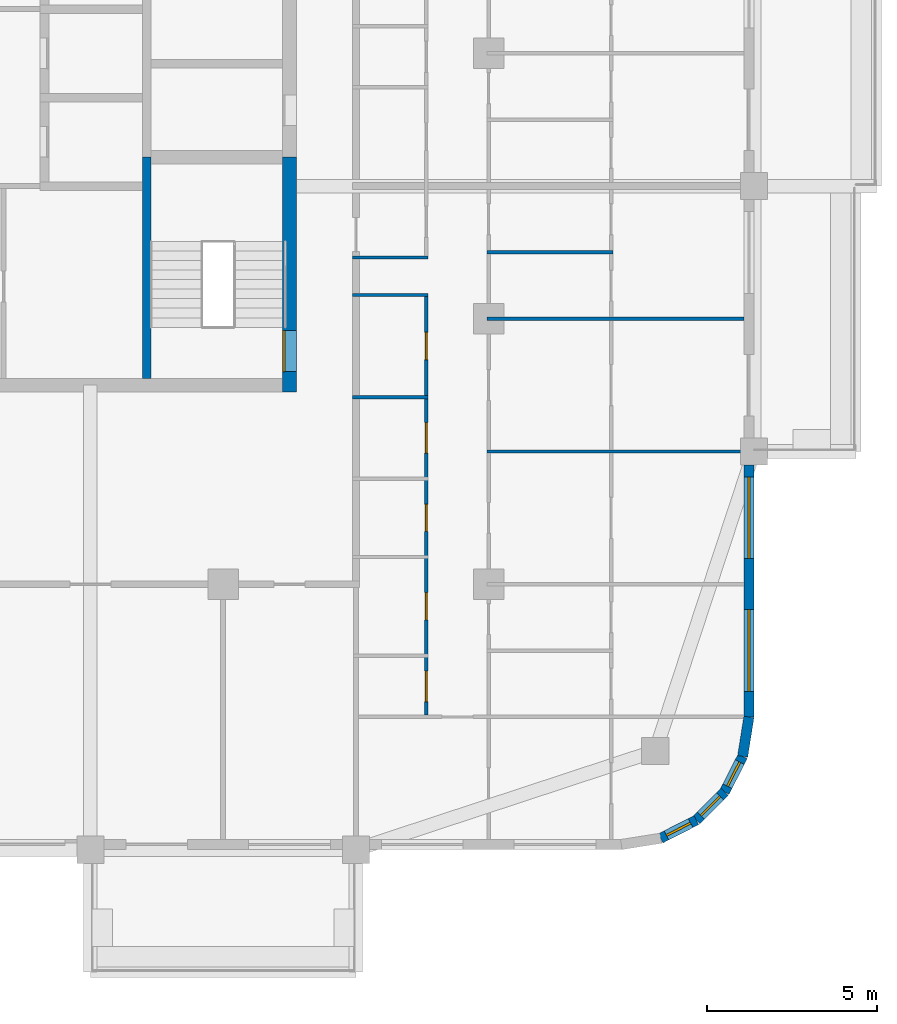
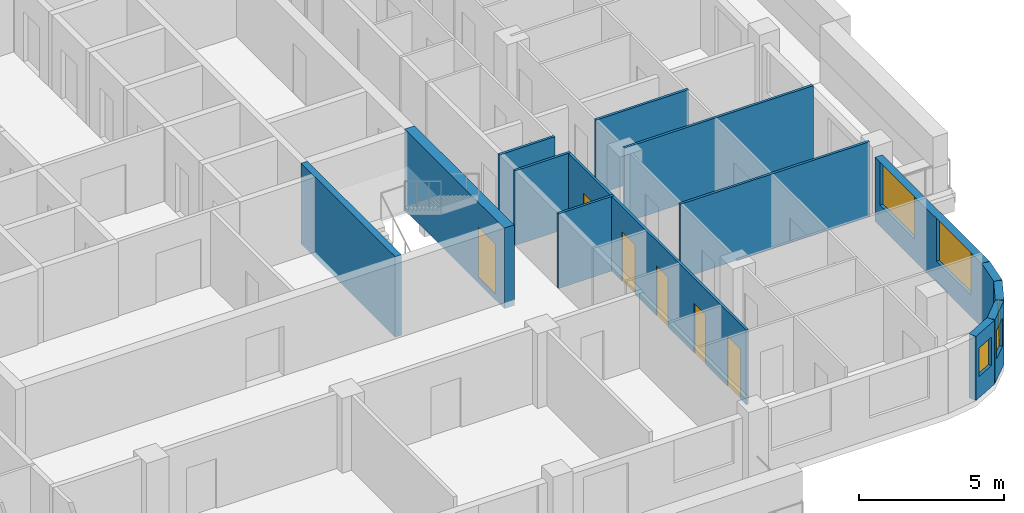
# One storey, part 6 of 16: 14 walls, 6 doors, 5 windows, 11 openings.
"""IFC4 building model written with IfcOpenShell, lengths in metres."""

import ifcopenshell
import ifcopenshell.guid

model = None  # the IFC model being written
_history = None  # IfcOwnerHistory: only IFC2X3 demands one
_inside = {}  # id of a spatial element -> (the spatial element, [elements in it])
_under = {}  # id of a project, library or spatial element -> (it, [spatial elements below it])
_declared = {}  # id of a project -> (the project, [libraries it declares])
_typed = {}  # id of a type object -> (the type object, [elements of that type])
_made_of = {}  # id of a material, layer set ... -> (it, [elements and type objects made of it])


def new_model(schema):
    """Start an empty IFC model of exactly this schema.

    Asked for "IFC4X3", IfcOpenShell would pick the latest addendum, in which some entities
    have other attributes; the version numbers below select the first issue.
    IFC2X3 requires an IfcOwnerHistory on every rooted entity: one is made here for all.
    """
    global model, _history
    if schema == "IFC4X3":
        model = ifcopenshell.file(schema_version=(4, 3, 0, 0))
    else:
        model = ifcopenshell.file(schema=schema)
    _inside.clear()
    _under.clear()
    _declared.clear()
    _typed.clear()
    _made_of.clear()
    _history = None
    if model.schema == "IFC2X3":
        org = make("IfcOrganization", Name="unknown")
        user = make(
            "IfcPersonAndOrganization",
            ThePerson=make("IfcPerson", FamilyName="unknown"),
            TheOrganization=org,
        )
        app = make(
            "IfcApplication",
            ApplicationDeveloper=org,
            Version="unknown",
            ApplicationFullName="unknown",
            ApplicationIdentifier="unknown",
        )
        _history = make(
            "IfcOwnerHistory",
            OwningUser=user,
            OwningApplication=app,
            ChangeAction="ADDED",
            CreationDate=0,
        )
    return model


def make(cls, **values):
    """One entity of the class cls with the attributes given. An attribute that is None is left unset."""
    return model.create_entity(
        cls, **{name: value for name, value in values.items() if value is not None}
    )


def rooted(cls, **values):
    """An entity with a GlobalId (a new one), such as an element, a storey or a relation."""
    return make(cls, GlobalId=ifcopenshell.guid.new(), OwnerHistory=_history, **values)


def si_unit(unit_type, name, prefix=None):
    """IfcSIUnit, for example si_unit("LENGTHUNIT", "METRE", prefix="MILLI")."""
    return make("IfcSIUnit", UnitType=unit_type, Prefix=prefix, Name=name)


def assignment(units):
    """IfcUnitAssignment: the units of a project."""
    return None if units is None else make("IfcUnitAssignment", Units=units)


def point(xyz):
    """IfcCartesianPoint."""
    return None if xyz is None else make("IfcCartesianPoint", Coordinates=xyz)


def direction(xyz):
    """IfcDirection."""
    return None if xyz is None else make("IfcDirection", DirectionRatios=xyz)


def frame(location, z_axis=None, x_axis=None):
    """IfcAxis2Placement3D, a coordinate frame: its origin and axes. An axis left out is left unset."""
    return make(
        "IfcAxis2Placement3D",
        Location=point(location),
        Axis=direction(z_axis),
        RefDirection=direction(x_axis),
    )


def frame_2d(location, x_axis=None):
    """IfcAxis2Placement2D, a coordinate frame in the plane: its origin and x axis."""
    return make(
        "IfcAxis2Placement2D", Location=point(location), RefDirection=direction(x_axis)
    )


def origin():
    """The frame at (0, 0, 0) with its axes left unset."""
    return frame((0.0, 0.0, 0.0))


def place(relative_to, where):
    """IfcLocalPlacement: puts the frame where relative to a parent placement (None: the world)."""
    return make(
        "IfcLocalPlacement", PlacementRelTo=relative_to, RelativePlacement=where
    )


def context(
    kind, dimensions, precision=None, world=None, true_north=None, identifier=None
):
    """IfcGeometricRepresentationContext, for example the 3D "Model" context."""
    return make(
        "IfcGeometricRepresentationContext",
        ContextIdentifier=identifier,
        ContextType=kind,
        CoordinateSpaceDimension=dimensions,
        Precision=precision,
        WorldCoordinateSystem=world,
        TrueNorth=true_north,
    )


def subcontext(parent, identifier, kind, view, scale=None):
    """IfcGeometricRepresentationSubContext, for example "Body" below "Model"."""
    return make(
        "IfcGeometricRepresentationSubContext",
        ContextIdentifier=identifier,
        ContextType=kind,
        ParentContext=parent,
        TargetScale=scale,
        TargetView=view,
    )


def project(units=None, contexts=None):
    """IfcProject with its units and contexts."""
    return rooted(
        "IfcProject",
        Name="project",
        RepresentationContexts=contexts,
        UnitsInContext=assignment(units),
    )


def spatial(cls, under=None, at=None, **own):
    """A site, building, storey or space (cls), placed at a placement, below another one or the project."""
    s = rooted(cls, ObjectPlacement=at, **own)
    if under is not None:
        _under.setdefault(under.id(), (under, []))[1].append(s)
    return s


def profile(cls, at=None, kind="AREA", **sizes):
    """A parametric profile (cls). Its sizes go by their IFC names, for example OverallWidth=200.0."""
    return make(cls, ProfileType=kind, Position=at, **sizes)


def rectangle(**sizes):
    """IfcRectangleProfileDef."""
    return profile("IfcRectangleProfileDef", **sizes)


def extrude(swept, where, along, depth):
    """IfcExtrudedAreaSolid: the profile swept, set in the frame where, extruded along a direction by depth."""
    return make(
        "IfcExtrudedAreaSolid",
        SweptArea=swept,
        Position=where,
        ExtrudedDirection=direction(along),
        Depth=depth,
    )


def shape(context_of_items, identifier, shape_type, items):
    """IfcShapeRepresentation: the items that make up one representation, for example the "Body"."""
    return make(
        "IfcShapeRepresentation",
        ContextOfItems=context_of_items,
        RepresentationIdentifier=identifier,
        RepresentationType=shape_type,
        Items=items,
    )


def material(Name=None, Category=None):
    """IfcMaterial."""
    return make("IfcMaterial", Name=Name, Category=Category)


def layer(
    of_material, thickness, ventilated=None, Name=None, Category=None, Priority=None
):
    """IfcMaterialLayer: one layer of a wall or slab, of a material (None: an air gap)."""
    return make(
        "IfcMaterialLayer",
        Material=of_material,
        LayerThickness=thickness,
        IsVentilated=ventilated,
        Name=Name,
        Category=Category,
        Priority=Priority,
    )


def layer_set(layers, Name=None):
    """IfcMaterialLayerSet."""
    return make("IfcMaterialLayerSet", MaterialLayers=layers, LayerSetName=Name)


def made_of(thing, what):
    """Note that an element or type object is made of a material, layer set ...; save() writes the relation."""
    if what is not None:
        _made_of.setdefault(what.id(), (what, []))[1].append(thing)
    return thing


def type_object(cls, material=None, **own):
    """A type object (cls), such as IfcWallType, which elements share."""
    return made_of(rooted(cls, **own), material)


def element(
    cls,
    number,
    at=None,
    inside=None,
    cuts=None,
    type_object=None,
    material=None,
    context=None,
    identifier="Body",
    shape_type=None,
    held_by="IfcProductDefinitionShape",
    body=None,
    shapes=None,
    **own,
):
    """One element of the class cls, such as IfcWall. Its Tag is "e" and its number.

    at: its placement. inside: the storey or other place that contains it. cuts: it is an
    opening in that element (IfcRelVoidsElement). A single representation is given by context,
    identifier, shape_type and body (its items); several are given by shapes. held_by: the class
    of the entity that holds the representations. save() writes the other relations.
    """
    e = rooted(cls, Tag="e%d" % number, ObjectPlacement=at, **own)
    if body is not None:
        shapes = [shape(context, identifier, shape_type, body)]
    if shapes is not None:
        e.Representation = make(held_by, Representations=shapes)
    if inside is not None:
        _inside.setdefault(inside.id(), (inside, []))[1].append(e)
    if cuts is not None:
        rooted(
            "IfcRelVoidsElement", RelatingBuildingElement=cuts, RelatedOpeningElement=e
        )
    if type_object is not None:
        _typed.setdefault(type_object.id(), (type_object, []))[1].append(e)
    return made_of(e, material)


def fill(opening, filler):
    """IfcRelFillsElement: the door or window that sits in an opening."""
    return rooted(
        "IfcRelFillsElement",
        RelatingOpeningElement=opening,
        RelatedBuildingElement=filler,
    )


def aggregate(whole, parts):
    """IfcRelAggregates: a whole, such as a stair, and the parts it consists of."""
    return rooted("IfcRelAggregates", RelatingObject=whole, RelatedObjects=parts)


def save(model, path):
    """Write the relations noted so far, then the file.

    IfcRelAggregates (storeys below a building ...), IfcRelContainedInSpatialStructure (elements
    in a storey), IfcRelDefinesByType, IfcRelAssociatesMaterial and IfcRelDeclares: one each for
    every whole, place, type object, material and project.
    """
    for whole, parts in _under.values():
        aggregate(whole, parts)
    for where, things in _inside.values():
        rooted(
            "IfcRelContainedInSpatialStructure",
            RelatedElements=things,
            RelatingStructure=where,
        )
    for kind, things in _typed.values():
        rooted("IfcRelDefinesByType", RelatedObjects=things, RelatingType=kind)
    for what, things in _made_of.values():
        rooted("IfcRelAssociatesMaterial", RelatedObjects=things, RelatingMaterial=what)
    for by, libraries in _declared.values():
        rooted("IfcRelDeclares", RelatingContext=by, RelatedDefinitions=libraries)
    model.write(path)


model = new_model("IFC4")

# Units and contexts
model_context = context("Model", 3, precision=1e-05, world=origin(), true_north=direction((0.0, 1.0)))
body_context = subcontext(model_context, "Body", "Model", "MODEL_VIEW")
ifc_project = project(units=[si_unit("LENGTHUNIT", "METRE"), si_unit("AREAUNIT", "SQUARE_METRE"), si_unit("VOLUMEUNIT", "CUBIC_METRE"), si_unit("PLANEANGLEUNIT", "RADIAN"), si_unit("MASSUNIT", "GRAM", prefix="KILO")], contexts=[model_context])

# Site, building, storey
site_placement = place(None, origin())
site = spatial("IfcSite", under=ifc_project, at=site_placement, CompositionType="ELEMENT")
building_placement = place(site_placement, origin())
building = spatial("IfcBuilding", under=site, at=building_placement, Name="Ludao Terraces", CompositionType="ELEMENT")
storey_placement = place(building_placement, frame((0.0, 0.0, 227.89990234375)))
storey = spatial("IfcBuildingStorey", under=building, at=storey_placement, Name="L62", CompositionType="ELEMENT", Elevation=227.89990234375)

# Wall, opening, door
ifc_material_1 = material(Name="Concrete C50", Category="concrete")
ifc_layer_1 = layer(ifc_material_1, 0.39990234375)
ifc_layer_set_1 = layer_set([ifc_layer_1], Name="Core wall 400 C50")
wall_type_1 = type_object("IfcWallType", Name="Core wall 400 C50", PredefinedType="SOLIDWALL", material=ifc_layer_set_1)
wall_1_placement = place(storey_placement, frame((94.75, 55.050048828125, -0.25), z_axis=(0.0, 0.0, 1.0), x_axis=(0.0, 1.0, 0.0)))
wall_1 = element("IfcWall", 1, at=wall_1_placement, inside=storey, type_object=wall_type_1, Name="Core wall L62 outer-E-S3", PredefinedType="SOLIDWALL", context=body_context, shape_type="SweptSolid", body=[
    extrude(rectangle(XDim=6.89990234375, YDim=0.39990234375, at=frame_2d((3.449951171875, 0.0))), origin(), (0.0, 0.0, 1.0), 3.400146484375),
])
opening_1_placement = place(wall_1_placement, frame((0.60009765625, 0.0, 0.25)))
opening_1 = element("IfcOpeningElement", 2, at=opening_1_placement, cuts=wall_1, Name="Opening R22-033", PredefinedType="OPENING", context=body_context, shape_type="SweptSolid", body=[
    extrude(rectangle(XDim=1.199951171875, YDim=2.10009765625, at=frame_2d((0.60009765625, 1.050048828125))), frame((0.0, 0.2099609375, 0.0), z_axis=(0.0, -1.0, 0.0), x_axis=(1.0, 0.0, 0.0)), (0.0, 0.0, 1.0), 0.419921875),
])
ifc_material_2 = material(Name="Steel Q235", Category="steel")
door_type_1 = type_object("IfcDoorType", Name="INT Stair door 1200", OperationType="DOUBLE_DOOR_SINGLE_SWING", PredefinedType="DOOR", material=ifc_material_2)
door_1_placement = place(opening_1_placement, origin())
door_1 = element("IfcDoor", 3, at=door_1_placement, inside=storey, type_object=door_type_1, Name="DOOR 033", OperationType="DOUBLE_DOOR_SINGLE_SWING", OverallHeight=2.10009765625, OverallWidth=1.199951171875, PredefinedType="DOOR", context=body_context, shape_type="SweptSolid", body=[
    extrude(rectangle(XDim=1.199951171875, YDim=2.10009765625, at=frame_2d((0.60009765625, 1.050048828125))), frame((0.0, 0.18505859375, 0.0), z_axis=(0.0, -1.0, 0.0), x_axis=(1.0, 0.0, 0.0)), (0.0, 0.0, 1.0), 0.050048828125),
])
fill(opening_1, door_1)

# Wall, openings, windows
ifc_material_3 = material(Name="Granite cladding", Category="masonry")
ifc_layer_2 = layer(ifc_material_3, 0.0400390625, Category="stone")
ifc_material_4 = material(Name="Mineral wool")
ifc_layer_3 = layer(ifc_material_4, 0.06005859375)
ifc_material_5 = material(Name="Concrete C40", Category="concrete")
ifc_layer_4 = layer(ifc_material_5, 0.199951171875, Category="concrete")
ifc_layer_set_2 = layer_set([ifc_layer_2, ifc_layer_3, ifc_layer_4], Name="ENV Stone-clad wall 300")
wall_type_2 = type_object("IfcWallType", Name="ENV Stone-clad wall 300", PredefinedType="SOLIDWALL", material=ifc_layer_set_2)
wall_2_placement = place(storey_placement, frame((108.25, 45.5, 0.0), z_axis=(0.0, 0.0, 1.0), x_axis=(0.0, 1.0, 0.0)))
wall_2 = element("IfcWall", 4, at=wall_2_placement, inside=storey, type_object=wall_type_2, Name="EW-L62-E1", PredefinedType="SOLIDWALL", context=body_context, shape_type="SweptSolid", body=[
    extrude(rectangle(XDim=7.39990234375, YDim=0.300048828125, at=frame_2d((3.699951171875, 0.0))), origin(), (0.0, 0.0, 1.0), 2.7001953125),
])
opening_2_placement = place(wall_2_placement, frame((0.75, 0.0, 0.89990234375)))
opening_2 = element("IfcOpeningElement", 5, at=opening_2_placement, cuts=wall_2, Name="Opening W1", PredefinedType="OPENING", context=body_context, shape_type="SweptSolid", body=[
    extrude(rectangle(XDim=2.39990234375, YDim=1.800048828125, at=frame_2d((1.199951171875, 0.89990234375))), frame((0.0, 0.16015625, 0.0), z_axis=(0.0, -1.0, 0.0), x_axis=(1.0, 0.0, 0.0)), (0.0, 0.0, 1.0), 0.320068359375),
])
opening_3_placement = place(wall_2_placement, frame((4.64990234375, 0.0, 0.89990234375)))
opening_3 = element("IfcOpeningElement", 6, at=opening_3_placement, cuts=wall_2, Name="Opening W1", PredefinedType="OPENING", context=body_context, shape_type="SweptSolid", body=[
    extrude(rectangle(XDim=2.39990234375, YDim=1.800048828125, at=frame_2d((1.199951171875, 0.89990234375))), frame((0.0, 0.16015625, 0.0), z_axis=(0.0, -1.0, 0.0), x_axis=(1.0, 0.0, 0.0)), (0.0, 0.0, 1.0), 0.320068359375),
])
ifc_material_6 = material(Name="Clear glass in aluminium frame", Category="aluminium")
ifc_layer_5 = layer(ifc_material_6, 0.06005859375)
ifc_layer_set_3 = layer_set([ifc_layer_5], Name="ENV Window W1 2400x1800")
window_type_1 = type_object("IfcWindowType", Name="ENV Window W1 2400x1800", PartitioningType="DOUBLE_PANEL_VERTICAL", PredefinedType="WINDOW", material=ifc_layer_set_3)
window_1_placement = place(opening_2_placement, origin())
window_1 = element("IfcWindow", 7, at=window_1_placement, inside=storey, type_object=window_type_1, Name="W-L62-E1-1", OverallHeight=1.800048828125, OverallWidth=2.39990234375, PartitioningType="DOUBLE_PANEL_VERTICAL", PredefinedType="WINDOW", context=body_context, shape_type="SweptSolid", body=[
    extrude(rectangle(XDim=2.39990234375, YDim=1.800048828125, at=frame_2d((1.199951171875, 0.89990234375))), frame((0.0, 0.030029296875, 0.0), z_axis=(0.0, -1.0, 0.0), x_axis=(1.0, 0.0, 0.0)), (0.0, 0.0, 1.0), 0.06005859375),
])
fill(opening_2, window_1)
window_2_placement = place(opening_3_placement, origin())
window_2 = element("IfcWindow", 8, at=window_2_placement, inside=storey, type_object=window_type_1, Name="W-L62-E1-2", OverallHeight=1.800048828125, OverallWidth=2.39990234375, PartitioningType="DOUBLE_PANEL_VERTICAL", PredefinedType="WINDOW", context=body_context, shape_type="SweptSolid", body=[
    extrude(rectangle(XDim=2.39990234375, YDim=1.800048828125, at=frame_2d((1.199951171875, 0.89990234375))), frame((0.0, 0.030029296875, 0.0), z_axis=(0.0, -1.0, 0.0), x_axis=(1.0, 0.0, 0.0)), (0.0, 0.0, 1.0), 0.06005859375),
])
fill(opening_3, window_2)

# Wall, opening, window
wall_3_placement = place(storey_placement, frame((105.65869140625, 41.93359375, 0.0), z_axis=(0.0, 0.0, 1.0), x_axis=(0.890988677504, 0.454025524128, 0.0)))
wall_3 = element("IfcWall", 9, at=wall_3_placement, inside=storey, type_object=wall_type_2, Name="EW-L62-SE2", PredefinedType="SOLIDWALL", context=body_context, shape_type="SweptSolid", body=[
    extrude(rectangle(XDim=1.17333984375, YDim=0.300048828125, at=frame_2d((0.586669921875, 0.0))), origin(), (0.0, 0.0, 1.0), 2.7001953125),
])
opening_4_placement = place(wall_3_placement, frame((0.1865234375, 0.0, 0.89990234375)))
opening_4 = element("IfcOpeningElement", 10, at=opening_4_placement, cuts=wall_3, Name="Opening W3", PredefinedType="OPENING", context=body_context, shape_type="SweptSolid", body=[
    extrude(rectangle(XDim=0.800048828125, YDim=1.199951171875, at=frame_2d((0.39990234375, 0.60009765625))), frame((0.0, 0.16015625, 0.0), z_axis=(0.0, -1.0, 0.0), x_axis=(1.0, 0.0, 0.0)), (0.0, 0.0, 1.0), 0.320068359375),
])
ifc_layer_6 = layer(ifc_material_6, 0.06005859375)
ifc_layer_set_4 = layer_set([ifc_layer_6], Name="ENV Window W3 800x1200")
window_type_2 = type_object("IfcWindowType", Name="ENV Window W3 800x1200", PartitioningType="SINGLE_PANEL", PredefinedType="WINDOW", material=ifc_layer_set_4)
window_3_placement = place(opening_4_placement, origin())
window_3 = element("IfcWindow", 11, at=window_3_placement, inside=storey, type_object=window_type_2, Name="W-L62-SE2", OverallHeight=1.199951171875, OverallWidth=0.800048828125, PartitioningType="SINGLE_PANEL", PredefinedType="WINDOW", context=body_context, shape_type="SweptSolid", body=[
    extrude(rectangle(XDim=0.800048828125, YDim=1.199951171875, at=frame_2d((0.39990234375, 0.60009765625))), frame((0.0, 0.030029296875, 0.0), z_axis=(0.0, -1.0, 0.0), x_axis=(1.0, 0.0, 0.0)), (0.0, 0.0, 1.0), 0.06005859375),
])
fill(opening_4, window_3)

wall_4_placement = place(storey_placement, frame((106.7041015625, 42.46630859375, 0.0), z_axis=(0.0, 0.0, 1.0), x_axis=(0.707106781187, 0.707106781187, 0.0)))
wall_4 = element("IfcWall", 12, at=wall_4_placement, inside=storey, type_object=wall_type_2, Name="EW-L62-SE3", PredefinedType="SOLIDWALL", context=body_context, shape_type="SweptSolid", body=[
    extrude(rectangle(XDim=1.173095703125, YDim=0.300048828125, at=frame_2d((0.58642578125, 0.0))), origin(), (0.0, 0.0, 1.0), 2.7001953125),
])
opening_5_placement = place(wall_4_placement, frame((0.1865234375, 0.0, 0.89990234375)))
opening_5 = element("IfcOpeningElement", 13, at=opening_5_placement, cuts=wall_4, Name="Opening W3", PredefinedType="OPENING", context=body_context, shape_type="SweptSolid", body=[
    extrude(rectangle(XDim=0.800048828125, YDim=1.199951171875, at=frame_2d((0.39990234375, 0.60009765625))), frame((0.0, 0.16015625, 0.0), z_axis=(0.0, -1.0, 0.0), x_axis=(1.0, 0.0, 0.0)), (0.0, 0.0, 1.0), 0.320068359375),
])
window_4_placement = place(opening_5_placement, origin())
window_4 = element("IfcWindow", 14, at=window_4_placement, inside=storey, type_object=window_type_2, Name="W-L62-SE3", OverallHeight=1.199951171875, OverallWidth=0.800048828125, PartitioningType="SINGLE_PANEL", PredefinedType="WINDOW", context=body_context, shape_type="SweptSolid", body=[
    extrude(rectangle(XDim=0.800048828125, YDim=1.199951171875, at=frame_2d((0.39990234375, 0.60009765625))), frame((0.0, 0.030029296875, 0.0), z_axis=(0.0, -1.0, 0.0), x_axis=(1.0, 0.0, 0.0)), (0.0, 0.0, 1.0), 0.06005859375),
])
fill(opening_5, window_4)

wall_5_placement = place(storey_placement, frame((107.53369140625, 43.2958984375, 0.0), z_axis=(0.0, 0.0, 1.0), x_axis=(0.454025524128, 0.890988677504, 0.0)))
wall_5 = element("IfcWall", 15, at=wall_5_placement, inside=storey, type_object=wall_type_2, Name="EW-L62-SE4", PredefinedType="SOLIDWALL", context=body_context, shape_type="SweptSolid", body=[
    extrude(rectangle(XDim=1.17333984375, YDim=0.300048828125, at=frame_2d((0.586669921875, 0.0))), origin(), (0.0, 0.0, 1.0), 2.7001953125),
])
opening_6_placement = place(wall_5_placement, frame((0.1865234375, 0.0, 0.89990234375)))
opening_6 = element("IfcOpeningElement", 16, at=opening_6_placement, cuts=wall_5, Name="Opening W3", PredefinedType="OPENING", context=body_context, shape_type="SweptSolid", body=[
    extrude(rectangle(XDim=0.800048828125, YDim=1.199951171875, at=frame_2d((0.39990234375, 0.60009765625))), frame((0.0, 0.16015625, 0.0), z_axis=(0.0, -1.0, 0.0), x_axis=(1.0, 0.0, 0.0)), (0.0, 0.0, 1.0), 0.320068359375),
])
window_5_placement = place(opening_6_placement, origin())
window_5 = element("IfcWindow", 17, at=window_5_placement, inside=storey, type_object=window_type_2, Name="W-L62-SE4", OverallHeight=1.199951171875, OverallWidth=0.800048828125, PartitioningType="SINGLE_PANEL", PredefinedType="WINDOW", context=body_context, shape_type="SweptSolid", body=[
    extrude(rectangle(XDim=0.800048828125, YDim=1.199951171875, at=frame_2d((0.39990234375, 0.60009765625))), frame((0.0, 0.030029296875, 0.0), z_axis=(0.0, -1.0, 0.0), x_axis=(1.0, 0.0, 0.0)), (0.0, 0.0, 1.0), 0.06005859375),
])
fill(opening_6, window_5)

# Walls
wall_6_placement = place(storey_placement, frame((108.06640625, 44.34130859375, 0.0), z_axis=(0.0, 0.0, 1.0), x_axis=(0.156496880861, 0.987678452879, 0.0)))
element("IfcWall", 18, at=wall_6_placement, inside=storey, type_object=wall_type_2, Name="EW-L62-SE5", PredefinedType="SOLIDWALL", context=body_context, shape_type="SweptSolid", body=[
    extrude(rectangle(XDim=1.173095703125, YDim=0.300048828125, at=frame_2d((0.58642578125, 0.0))), origin(), (0.0, 0.0, 1.0), 2.7001953125),
])
ifc_material_7 = material(Name="Gypsum plasterboard", Category="gypsum")
ifc_layer_7 = layer(ifc_material_7, 0.012451171875, Category="gypsum")
ifc_layer_8 = layer(ifc_material_4, 0.06005859375, Name="insulation")
ifc_layer_9 = layer(ifc_material_2, 0.014892578125, Name="stud")
ifc_layer_10 = layer(ifc_material_7, 0.012451171875, Category="gypsum")
ifc_layer_set_5 = layer_set([ifc_layer_7, ifc_layer_8, ifc_layer_9, ifc_layer_10], Name="INT Partition 100")
wall_type_3 = type_object("IfcWallType", Name="INT Partition 100", PredefinedType="PARTITIONING", material=ifc_layer_set_5)
wall_7_placement = place(storey_placement, frame((100.550048828125, 53.300048828125, 0.0), z_axis=(0.0, 0.0, 1.0), x_axis=(1.0, 0.0, 0.0)))
element("IfcWall", 19, at=wall_7_placement, inside=storey, type_object=wall_type_3, Name="PW-L62-PW012", PredefinedType="PARTITIONING", context=body_context, shape_type="SweptSolid", body=[
    extrude(rectangle(XDim=7.550048828125, YDim=0.10009765625, at=frame_2d((3.77490234375, 0.0))), origin(), (0.0, 0.0, 1.0), 3.150146484375),
])
wall_8_placement = place(storey_placement, frame((96.60009765625, 54.89990234375, 0.0), z_axis=(0.0, 0.0, 1.0), x_axis=(1.0, 0.0, 0.0)))
element("IfcWall", 20, at=wall_8_placement, inside=storey, type_object=wall_type_3, Name="PW-L62-PW014", PredefinedType="PARTITIONING", context=body_context, shape_type="SweptSolid", body=[
    extrude(rectangle(XDim=2.219970703125, YDim=0.10009765625, at=frame_2d((1.10986328125, 0.0))), origin(), (0.0, 0.0, 1.0), 3.150146484375),
])
wall_9_placement = place(storey_placement, frame((100.550048828125, 57.199951171875, 0.0), z_axis=(0.0, 0.0, 1.0), x_axis=(1.0, 0.0, 0.0)))
element("IfcWall", 21, at=wall_9_placement, inside=storey, type_object=wall_type_3, Name="PW-L62-PW018", PredefinedType="PARTITIONING", context=body_context, shape_type="SweptSolid", body=[
    extrude(rectangle(XDim=7.550048828125, YDim=0.10009765625, at=frame_2d((3.77490234375, 0.0))), origin(), (0.0, 0.0, 1.0), 3.150146484375),
])
for number, where, z_axis, x_axis, name in (
    (22, (96.60009765625, 57.89990234375, 0.0), (0.0, 0.0, 1.0), (1.0, 0.0, 0.0), "PW-L62-PW020"),
    (23, (96.60009765625, 59.0, 0.0), (0.0, 0.0, 1.0), (1.0, 0.0, 0.0), "PW-L62-PW021"),
):
    element("IfcWall", number, at=place(storey_placement, frame(where, z_axis=z_axis, x_axis=x_axis)), inside=storey, type_object=wall_type_3, Name=name, PredefinedType="PARTITIONING", context=body_context, shape_type="SweptSolid", body=[
        extrude(rectangle(XDim=2.219970703125, YDim=0.10009765625, at=frame_2d((1.10986328125, 0.0))), origin(), (0.0, 0.0, 1.0), 3.150146484375),
    ])
wall_10_placement = place(storey_placement, frame((100.550048828125, 59.14990234375, 0.0), z_axis=(0.0, 0.0, 1.0), x_axis=(1.0, 0.0, 0.0)))
element("IfcWall", 24, at=wall_10_placement, inside=storey, type_object=wall_type_3, Name="PW-L62-PW023", PredefinedType="PARTITIONING", context=body_context, shape_type="SweptSolid", body=[
    extrude(rectangle(XDim=3.699951171875, YDim=0.10009765625, at=frame_2d((1.85009765625, 0.0))), origin(), (0.0, 0.0, 1.0), 3.150146484375),
])

# Wall, openings, doors
wall_11_placement = place(storey_placement, frame((98.77001953125, 45.550048828125, 0.0), z_axis=(0.0, 0.0, 1.0), x_axis=(0.0, 1.0, 0.0)))
wall_11 = element("IfcWall", 25, at=wall_11_placement, inside=storey, type_object=wall_type_3, Name="PW-L62-PW091", PredefinedType="PARTITIONING", context=body_context, shape_type="SweptSolid", body=[
    extrude(rectangle(XDim=12.300048828125, YDim=0.10009765625, at=frame_2d((6.14990234375, 0.0))), origin(), (0.0, 0.0, 1.0), 3.150146484375),
])
opening_7_placement = place(wall_11_placement, frame((0.39990234375, 0.0, 0.0)))
opening_7 = element("IfcOpeningElement", 26, at=opening_7_placement, cuts=wall_11, Name="Opening R22-007", PredefinedType="OPENING", context=body_context, shape_type="SweptSolid", body=[
    extrude(rectangle(XDim=0.89990234375, YDim=2.10009765625, at=frame_2d((0.449951171875, 1.050048828125))), frame((0.0, 0.06005859375, 0.0), z_axis=(0.0, -1.0, 0.0), x_axis=(1.0, 0.0, 0.0)), (0.0, 0.0, 1.0), 0.1201171875),
])
opening_8_placement = place(wall_11_placement, frame((2.800048828125, 0.0, 0.0)))
opening_8 = element("IfcOpeningElement", 27, at=opening_8_placement, cuts=wall_11, Name="Opening R22-014", PredefinedType="OPENING", context=body_context, shape_type="SweptSolid", body=[
    extrude(rectangle(XDim=0.800048828125, YDim=2.10009765625, at=frame_2d((0.39990234375, 1.050048828125))), frame((0.0, 0.06005859375, 0.0), z_axis=(0.0, -1.0, 0.0), x_axis=(1.0, 0.0, 0.0)), (0.0, 0.0, 1.0), 0.1201171875),
])
opening_9_placement = place(wall_11_placement, frame((5.39990234375, 0.0, 0.0)))
opening_9 = element("IfcOpeningElement", 28, at=opening_9_placement, cuts=wall_11, Name="Opening R22-021", PredefinedType="OPENING", context=body_context, shape_type="SweptSolid", body=[
    extrude(rectangle(XDim=0.800048828125, YDim=2.10009765625, at=frame_2d((0.39990234375, 1.050048828125))), frame((0.0, 0.06005859375, 0.0), z_axis=(0.0, -1.0, 0.0), x_axis=(1.0, 0.0, 0.0)), (0.0, 0.0, 1.0), 0.1201171875),
])
opening_10_placement = place(wall_11_placement, frame((7.699951171875, 0.0, 0.0)))
opening_10 = element("IfcOpeningElement", 29, at=opening_10_placement, cuts=wall_11, Name="Opening R22-026", PredefinedType="OPENING", context=body_context, shape_type="SweptSolid", body=[
    extrude(rectangle(XDim=0.89990234375, YDim=2.10009765625, at=frame_2d((0.449951171875, 1.050048828125))), frame((0.0, 0.06005859375, 0.0), z_axis=(0.0, -1.0, 0.0), x_axis=(1.0, 0.0, 0.0)), (0.0, 0.0, 1.0), 0.1201171875),
])
opening_11_placement = place(wall_11_placement, frame((10.449951171875, 0.0, 0.0)))
opening_11 = element("IfcOpeningElement", 30, at=opening_11_placement, cuts=wall_11, Name="Opening R22-035", PredefinedType="OPENING", context=body_context, shape_type="SweptSolid", body=[
    extrude(rectangle(XDim=0.800048828125, YDim=2.10009765625, at=frame_2d((0.39990234375, 1.050048828125))), frame((0.0, 0.06005859375, 0.0), z_axis=(0.0, -1.0, 0.0), x_axis=(1.0, 0.0, 0.0)), (0.0, 0.0, 1.0), 0.1201171875),
])
ifc_material_8 = material(Name="Timber door leaf", Category="wood")
door_type_2 = type_object("IfcDoorType", Name="INT Bathroom door 900", OperationType="SINGLE_SWING_LEFT", PredefinedType="DOOR", material=ifc_material_8)
door_2_placement = place(opening_7_placement, origin())
door_2 = element("IfcDoor", 31, at=door_2_placement, inside=storey, type_object=door_type_2, Name="DOOR 007", OperationType="SINGLE_SWING_LEFT", OverallHeight=2.10009765625, OverallWidth=0.89990234375, PredefinedType="DOOR", context=body_context, shape_type="SweptSolid", body=[
    extrude(rectangle(XDim=0.89990234375, YDim=2.10009765625, at=frame_2d((0.449951171875, 1.050048828125))), frame((0.0, 0.02490234375, 0.0), z_axis=(0.0, -1.0, 0.0), x_axis=(1.0, 0.0, 0.0)), (0.0, 0.0, 1.0), 0.050048828125),
])
fill(opening_7, door_2)
door_3_placement = place(opening_10_placement, origin())
door_3 = element("IfcDoor", 32, at=door_3_placement, inside=storey, type_object=door_type_2, Name="DOOR 026", OperationType="SINGLE_SWING_LEFT", OverallHeight=2.10009765625, OverallWidth=0.89990234375, PredefinedType="DOOR", context=body_context, shape_type="SweptSolid", body=[
    extrude(rectangle(XDim=0.89990234375, YDim=2.10009765625, at=frame_2d((0.449951171875, 1.050048828125))), frame((0.0, 0.02490234375, 0.0), z_axis=(0.0, -1.0, 0.0), x_axis=(1.0, 0.0, 0.0)), (0.0, 0.0, 1.0), 0.050048828125),
])
fill(opening_10, door_3)
door_type_3 = type_object("IfcDoorType", Name="INT Store door 800", OperationType="SINGLE_SWING_LEFT", PredefinedType="DOOR", material=ifc_material_8)
door_4_placement = place(opening_8_placement, origin())
door_4 = element("IfcDoor", 33, at=door_4_placement, inside=storey, type_object=door_type_3, Name="DOOR 014", OperationType="SINGLE_SWING_LEFT", OverallHeight=2.10009765625, OverallWidth=0.800048828125, PredefinedType="DOOR", context=body_context, shape_type="SweptSolid", body=[
    extrude(rectangle(XDim=0.800048828125, YDim=2.10009765625, at=frame_2d((0.39990234375, 1.050048828125))), frame((0.0, 0.02490234375, 0.0), z_axis=(0.0, -1.0, 0.0), x_axis=(1.0, 0.0, 0.0)), (0.0, 0.0, 1.0), 0.050048828125),
])
fill(opening_8, door_4)
door_5_placement = place(opening_9_placement, origin())
door_5 = element("IfcDoor", 34, at=door_5_placement, inside=storey, type_object=door_type_3, Name="DOOR 021", OperationType="SINGLE_SWING_LEFT", OverallHeight=2.10009765625, OverallWidth=0.800048828125, PredefinedType="DOOR", context=body_context, shape_type="SweptSolid", body=[
    extrude(rectangle(XDim=0.800048828125, YDim=2.10009765625, at=frame_2d((0.39990234375, 1.050048828125))), frame((0.0, 0.02490234375, 0.0), z_axis=(0.0, -1.0, 0.0), x_axis=(1.0, 0.0, 0.0)), (0.0, 0.0, 1.0), 0.050048828125),
])
fill(opening_9, door_5)
door_6_placement = place(opening_11_placement, origin())
door_6 = element("IfcDoor", 35, at=door_6_placement, inside=storey, type_object=door_type_3, Name="DOOR 035", OperationType="SINGLE_SWING_LEFT", OverallHeight=2.10009765625, OverallWidth=0.800048828125, PredefinedType="DOOR", context=body_context, shape_type="SweptSolid", body=[
    extrude(rectangle(XDim=0.800048828125, YDim=2.10009765625, at=frame_2d((0.39990234375, 1.050048828125))), frame((0.0, 0.02490234375, 0.0), z_axis=(0.0, -1.0, 0.0), x_axis=(1.0, 0.0, 0.0)), (0.0, 0.0, 1.0), 0.050048828125),
])
fill(opening_11, door_6)

# Wall
ifc_layer_11 = layer(ifc_material_1, 0.25)
ifc_layer_set_6 = layer_set([ifc_layer_11], Name="Shaft wall 250 C50")
wall_type_4 = type_object("IfcWallType", Name="Shaft wall 250 C50", PredefinedType="SOLIDWALL", material=ifc_layer_set_6)
wall_12_placement = place(storey_placement, frame((90.550048828125, 55.449951171875, -0.25), z_axis=(0.0, 0.0, 1.0), x_axis=(0.0, 1.0, 0.0)))
element("IfcWall", 36, at=wall_12_placement, inside=storey, type_object=wall_type_4, Name="Core wall L62 back-E-S3", PredefinedType="SOLIDWALL", context=body_context, shape_type="SweptSolid", body=[
    extrude(rectangle(XDim=6.5, YDim=0.25, at=frame_2d((3.25, 0.0))), origin(), (0.0, 0.0, 1.0), 3.400146484375),
])

save(model, "model.ifc")
